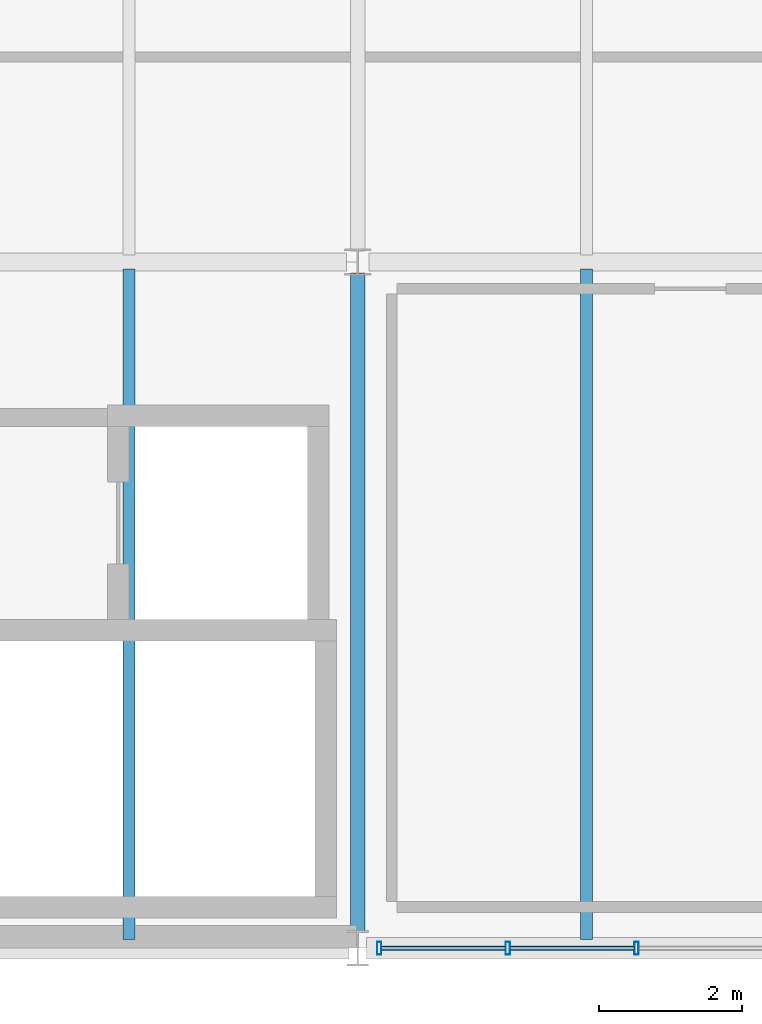
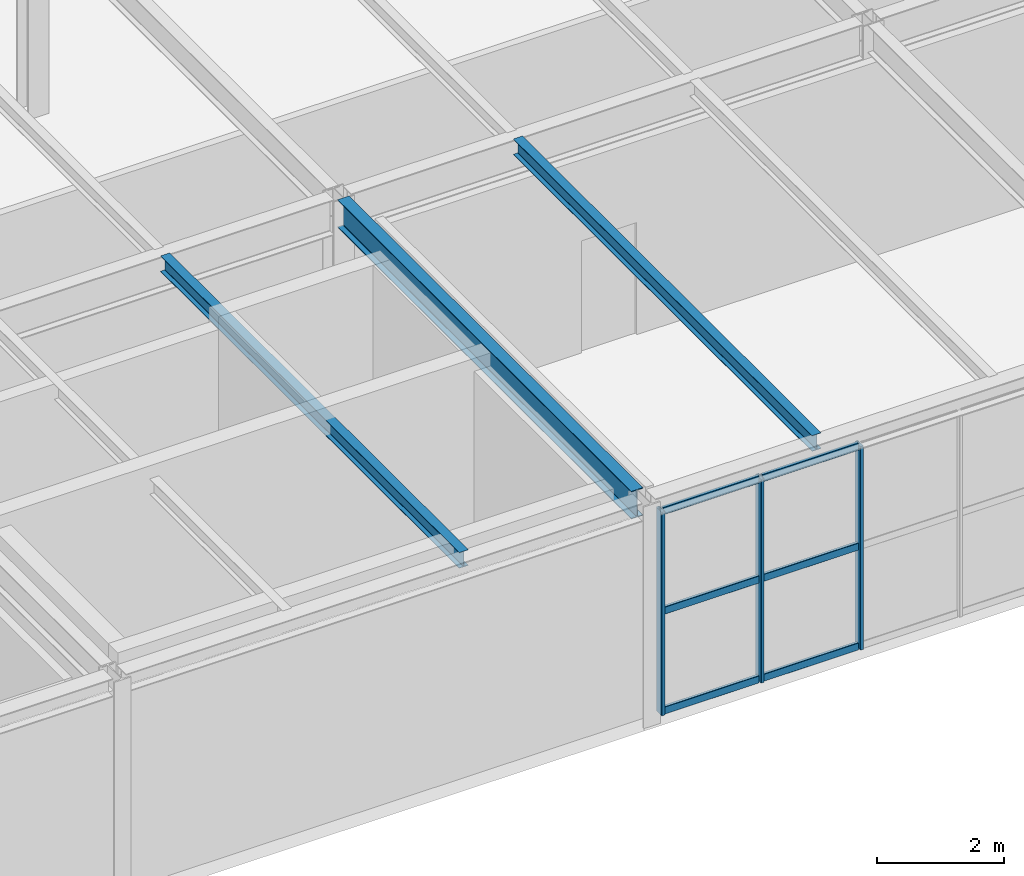
# One storey, part 119 of 170: 9 members, 3 beams, 1 element without a shape of its own.
"""IFC4 building model written with IfcOpenShell, lengths in metres."""

from ifc_helpers import new_model, si_unit, direction, frame, origin, origin_2d, place, context, subcontext, project, spatial, hollow_rectangle, i_section, extrude, material, material_profile, profile_set, type_object, element, aggregate, save


model = new_model("IFC4")

# Units and contexts
model_context = context("Model", 3, precision=1e-05, world=origin(), true_north=direction((0.0, 1.0)))
body_context = subcontext(model_context, "Body", "Model", "MODEL_VIEW")
ifc_project = project(units=[si_unit("LENGTHUNIT", "METRE"), si_unit("AREAUNIT", "SQUARE_METRE"), si_unit("VOLUMEUNIT", "CUBIC_METRE"), si_unit("PLANEANGLEUNIT", "RADIAN"), si_unit("MASSUNIT", "GRAM", prefix="KILO")], contexts=[model_context])

# Site, building, storey
site_placement = place(None, origin())
site = spatial("IfcSite", under=ifc_project, at=site_placement, CompositionType="ELEMENT")
building_placement = place(site_placement, origin())
building = spatial("IfcBuilding", under=site, at=building_placement, Name="Coralgate Yard Interchange", CompositionType="ELEMENT")
storey_placement = place(building_placement, frame((0.0, 0.0, 6.0)))
storey = spatial("IfcBuildingStorey", under=building, at=storey_placement, Name="L01", CompositionType="ELEMENT", Elevation=6.0)

# Beams
ifc_material_1 = material(Name="Structural steel S355J2", Category="steel")
ifc_material_profile_1 = material_profile(ifc_material_1, i_section(OverallWidth=0.209228515625, OverallDepth=0.533203125, WebThickness=0.010009765625, FlangeThickness=0.015625, FilletRadius=0.0126953125, at=origin_2d()), Name="UB 533x210x92")
ifc_profile_set_1 = profile_set([ifc_material_profile_1], Name="Structural steel S355J2")
beam_type_1 = type_object("IfcBeamType", Name="BM-SB-1", PredefinedType="BEAM", material=ifc_profile_set_1)
beam_placement = place(storey_placement, frame((163.199951171875, 0.219970703125, 3.9833984375), z_axis=(0.0, 1.0, 0.0), x_axis=(-1.0, 0.0, 0.0)))
element("IfcBeam", 1, at=beam_placement, inside=storey, type_object=beam_type_1, Name="L01 primary grid girder X17 Y0-1", PredefinedType="BEAM", context=body_context, shape_type="SweptSolid", body=[
    extrude(i_section(OverallWidth=0.209228515625, OverallDepth=0.533203125, WebThickness=0.010009765625, FlangeThickness=0.015625, FilletRadius=0.0126953125, at=origin_2d()), origin(), (0.0, 0.0, 1.0), 9.225830078125),
])
ifc_material_profile_2 = material_profile(ifc_material_1, i_section(OverallWidth=0.1650390625, OverallDepth=0.303466796875, WebThickness=0.006103515625, FlangeThickness=0.01025390625, FilletRadius=0.0087890625, at=origin_2d()), Name="UB 305x165x40")
ifc_profile_set_2 = profile_set([ifc_material_profile_2], Name="Structural steel S355J2")
beam_type_2 = type_object("IfcBeamType", Name="BM-SJ-1", PredefinedType="JOIST", material=ifc_profile_set_2)
for number, where, z_axis, x_axis, name in (
    (2, (160.0, 0.1201171875, 4.098388671875), (0.0, 1.0, 0.0), (-1.0, 0.0, 0.0), "L01 composite floor joist 16-0-2"),
    (3, (166.39990234375, 0.1201171875, 4.098388671875), (0.0, 1.0, 0.0), (-1.0, 0.0, 0.0), "L01 composite floor joist 17-0-1"),
):
    element("IfcBeam", number, at=place(storey_placement, frame(where, z_axis=z_axis, x_axis=x_axis)), inside=storey, type_object=beam_type_2, Name=name, PredefinedType="JOIST", context=body_context, shape_type="SweptSolid", body=[
        extrude(i_section(OverallWidth=0.1650390625, OverallDepth=0.303466796875, WebThickness=0.006103515625, FlangeThickness=0.01025390625, FilletRadius=0.0087890625, at=origin_2d()), origin(), (0.0, 0.0, 1.0), 9.383056640625),
    ])

# Curtain wall, members
ifc_material_2 = material(Name="Anodised coastal aluminium and solar-control low-E glass", Category="aluminium")
curtain_wall_type = type_object("IfcCurtainWallType", Name="CW-CW-L01-B", PredefinedType="NOTDEFINED", material=ifc_material_2)
curtain_wall_placement = place(storey_placement, origin())
curtain_wall = element("IfcCurtainWall", 4, at=curtain_wall_placement, inside=storey, type_object=curtain_wall_type, Name="L01 unitised curtain wall CW-L01-S-17-00", PredefinedType="NOTDEFINED")
ifc_material_3 = material(Name="Anodised coastal aluminium 6063-T6", Category="aluminium")
ifc_material_profile_3 = material_profile(ifc_material_3, hollow_rectangle(XDim=0.06005859375, YDim=0.179931640625, WallThickness=0.00390625, InnerFilletRadius=0.00390625, OuterFilletRadius=0.008056640625, at=origin_2d()), Name="ALU 60x180x4")
ifc_profile_set_3 = profile_set([ifc_material_profile_3], Name="Anodised coastal aluminium 6063-T6")
member_type_1 = type_object("IfcMemberType", Name="MB-MUL-180", PredefinedType="MULLION", material=ifc_profile_set_3)
member_1_placement = place(storey_placement, frame((167.10009765625, 0.0, 0.0), z_axis=(0.0, 0.0, 1.0), x_axis=(1.0, 0.0, 0.0)))
member_1 = element("IfcMember", 5, at=member_1_placement, type_object=member_type_1, Name="CW-L01-S-17-00 vertical mullion 4", PredefinedType="MULLION", context=body_context, shape_type="SweptSolid", body=[
    extrude(hollow_rectangle(XDim=0.06005859375, YDim=0.179931640625, WallThickness=0.00390625, InnerFilletRadius=0.00390625, OuterFilletRadius=0.008056640625, at=origin_2d()), origin(), (0.0, 0.0, 1.0), 3.89990234375),
])
member_2_placement = place(storey_placement, frame((165.300048828125, 0.0, 0.0), z_axis=(0.0, 0.0, 1.0), x_axis=(1.0, 0.0, 0.0)))
member_2 = element("IfcMember", 6, at=member_2_placement, type_object=member_type_1, Name="CW-L01-S-17-00 vertical mullion 5", PredefinedType="MULLION", context=body_context, shape_type="SweptSolid", body=[
    extrude(hollow_rectangle(XDim=0.06005859375, YDim=0.179931640625, WallThickness=0.00390625, InnerFilletRadius=0.00390625, OuterFilletRadius=0.008056640625, at=origin_2d()), origin(), (0.0, 0.0, 1.0), 3.89990234375),
])
member_3_placement = place(storey_placement, frame((163.5, 0.0, 0.0), z_axis=(0.0, 0.0, 1.0), x_axis=(1.0, 0.0, 0.0)))
member_3 = element("IfcMember", 7, at=member_3_placement, type_object=member_type_1, Name="CW-L01-S-17-00 vertical mullion 6", PredefinedType="MULLION", context=body_context, shape_type="SweptSolid", body=[
    extrude(hollow_rectangle(XDim=0.06005859375, YDim=0.179931640625, WallThickness=0.00390625, InnerFilletRadius=0.00390625, OuterFilletRadius=0.008056640625, at=origin_2d()), origin(), (0.0, 0.0, 1.0), 3.89990234375),
])
ifc_material_profile_4 = material_profile(ifc_material_3, hollow_rectangle(XDim=0.06005859375, YDim=0.139892578125, WallThickness=0.00341796875, InnerFilletRadius=0.00341796875, OuterFilletRadius=0.007080078125, at=origin_2d()), Name="ALU 60x140x3.5")
ifc_profile_set_4 = profile_set([ifc_material_profile_4], Name="Anodised coastal aluminium 6063-T6")
member_type_2 = type_object("IfcMemberType", Name="MB-TRN-140", PredefinedType="USERDEFINED", material=ifc_profile_set_4)
member_4_placement = place(storey_placement, frame((167.070068359375, 0.0, 0.034912109375), z_axis=(-1.0, 0.0, 0.0), x_axis=(0.0, -1.0, 0.0)))
member_4 = element("IfcMember", 8, at=member_4_placement, type_object=member_type_2, Name="CW-L01-S-17-00 horizontal transom 4-1", ObjectType="TRANSOM", PredefinedType="USERDEFINED", context=body_context, shape_type="SweptSolid", body=[
    extrude(hollow_rectangle(XDim=0.06005859375, YDim=0.139892578125, WallThickness=0.00341796875, InnerFilletRadius=0.00341796875, OuterFilletRadius=0.007080078125, at=origin_2d()), origin(), (0.0, 0.0, 1.0), 1.739990234375),
])
member_5_placement = place(storey_placement, frame((167.070068359375, 0.0, 1.949951171875), z_axis=(-1.0, 0.0, 0.0), x_axis=(0.0, -1.0, 0.0)))
member_5 = element("IfcMember", 9, at=member_5_placement, type_object=member_type_2, Name="CW-L01-S-17-00 horizontal transom 4-2", ObjectType="TRANSOM", PredefinedType="USERDEFINED", context=body_context, shape_type="SweptSolid", body=[
    extrude(hollow_rectangle(XDim=0.06005859375, YDim=0.139892578125, WallThickness=0.00341796875, InnerFilletRadius=0.00341796875, OuterFilletRadius=0.007080078125, at=origin_2d()), origin(), (0.0, 0.0, 1.0), 1.739990234375),
])
member_6_placement = place(storey_placement, frame((167.070068359375, 0.0, 3.864990234375), z_axis=(-1.0, 0.0, 0.0), x_axis=(0.0, -1.0, 0.0)))
member_6 = element("IfcMember", 10, at=member_6_placement, type_object=member_type_2, Name="CW-L01-S-17-00 horizontal transom 4-3", ObjectType="TRANSOM", PredefinedType="USERDEFINED", context=body_context, shape_type="SweptSolid", body=[
    extrude(hollow_rectangle(XDim=0.06005859375, YDim=0.139892578125, WallThickness=0.00341796875, InnerFilletRadius=0.00341796875, OuterFilletRadius=0.007080078125, at=origin_2d()), origin(), (0.0, 0.0, 1.0), 1.739990234375),
])
member_7_placement = place(storey_placement, frame((165.27001953125, 0.0, 0.034912109375), z_axis=(-1.0, 0.0, 0.0), x_axis=(0.0, -1.0, 0.0)))
member_7 = element("IfcMember", 11, at=member_7_placement, type_object=member_type_2, Name="CW-L01-S-17-00 horizontal transom 5-1", ObjectType="TRANSOM", PredefinedType="USERDEFINED", context=body_context, shape_type="SweptSolid", body=[
    extrude(hollow_rectangle(XDim=0.06005859375, YDim=0.139892578125, WallThickness=0.00341796875, InnerFilletRadius=0.00341796875, OuterFilletRadius=0.007080078125, at=origin_2d()), origin(), (0.0, 0.0, 1.0), 1.739990234375),
])
member_8_placement = place(storey_placement, frame((165.27001953125, 0.0, 1.949951171875), z_axis=(-1.0, 0.0, 0.0), x_axis=(0.0, -1.0, 0.0)))
member_8 = element("IfcMember", 12, at=member_8_placement, type_object=member_type_2, Name="CW-L01-S-17-00 horizontal transom 5-2", ObjectType="TRANSOM", PredefinedType="USERDEFINED", context=body_context, shape_type="SweptSolid", body=[
    extrude(hollow_rectangle(XDim=0.06005859375, YDim=0.139892578125, WallThickness=0.00341796875, InnerFilletRadius=0.00341796875, OuterFilletRadius=0.007080078125, at=origin_2d()), origin(), (0.0, 0.0, 1.0), 1.739990234375),
])
member_9_placement = place(storey_placement, frame((165.27001953125, 0.0, 3.864990234375), z_axis=(-1.0, 0.0, 0.0), x_axis=(0.0, -1.0, 0.0)))
member_9 = element("IfcMember", 13, at=member_9_placement, type_object=member_type_2, Name="CW-L01-S-17-00 horizontal transom 5-3", ObjectType="TRANSOM", PredefinedType="USERDEFINED", context=body_context, shape_type="SweptSolid", body=[
    extrude(hollow_rectangle(XDim=0.06005859375, YDim=0.139892578125, WallThickness=0.00341796875, InnerFilletRadius=0.00341796875, OuterFilletRadius=0.007080078125, at=origin_2d()), origin(), (0.0, 0.0, 1.0), 1.739990234375),
])
aggregate(curtain_wall, [member_1, member_2, member_3, member_4, member_5, member_6, member_7, member_8, member_9])

save(model, "model.ifc")
